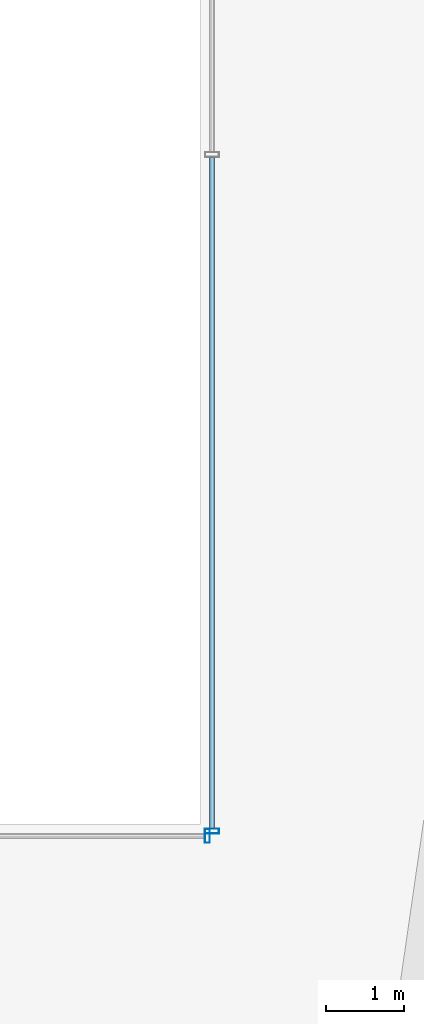
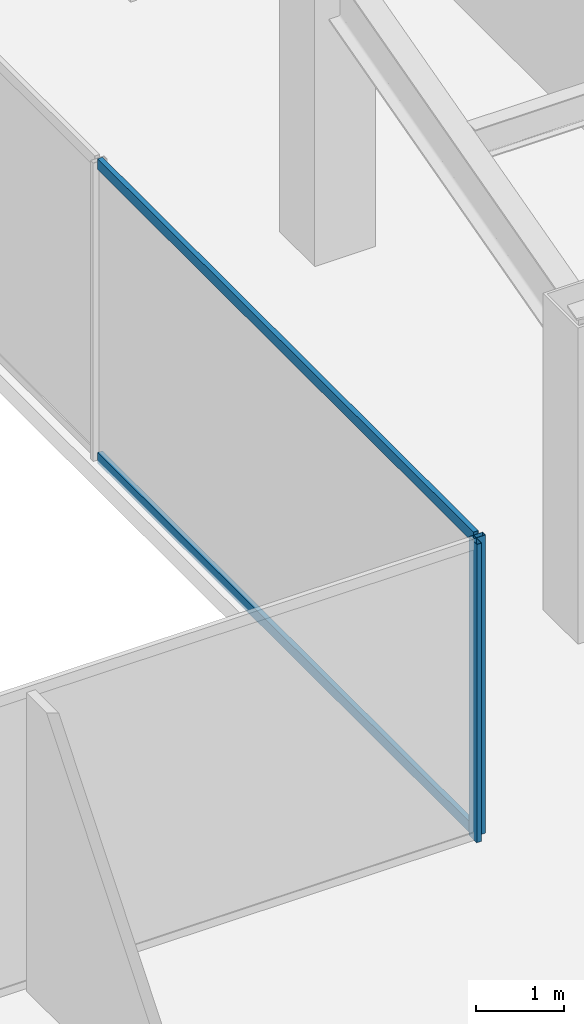
# One storey, part 18 of 47: 4 members, 2 elements without a shape of their own.
"""IFC4 building model written with IfcOpenShell, lengths in metres."""

from ifc_helpers import new_model, si_unit, direction, frame, origin, origin_2d, place, context, subcontext, project, spatial, hollow_rectangle, extrude, material, material_profile, profile_set, type_object, element, aggregate, save


model = new_model("IFC4")

# Units and contexts
model_context = context("Model", 3, precision=1e-05, world=origin(), true_north=direction((0.0, 1.0)))
body_context = subcontext(model_context, "Body", "Model", "MODEL_VIEW")
ifc_project = project(units=[si_unit("LENGTHUNIT", "METRE"), si_unit("AREAUNIT", "SQUARE_METRE"), si_unit("VOLUMEUNIT", "CUBIC_METRE"), si_unit("PLANEANGLEUNIT", "RADIAN"), si_unit("MASSUNIT", "GRAM", prefix="KILO")], contexts=[model_context])

# Site, building, storey
site_placement = place(None, origin())
site = spatial("IfcSite", under=ifc_project, at=site_placement, CompositionType="ELEMENT")
building_placement = place(site_placement, origin())
building = spatial("IfcBuilding", under=site, at=building_placement, Name="Saevonmaru Cultural Tower", CompositionType="ELEMENT")
storey_placement = place(building_placement, frame((0.0, 0.0, 42.800048828125)))
storey = spatial("IfcBuildingStorey", under=building, at=storey_placement, Name="L08", CompositionType="ELEMENT", Elevation=42.800048828125)

# Curtain wall, member
ifc_material = material(Name="Satin Bronze Anodised Aluminium", Category="aluminium")
curtain_wall_type = type_object("IfcCurtainWallType", Name="CW-ATR-GLZ", PredefinedType="NOTDEFINED", material=ifc_material)
curtain_wall_1_placement = place(storey_placement, origin())
curtain_wall_1 = element("IfcCurtainWall", 1, at=curtain_wall_1_placement, inside=storey, type_object=curtain_wall_type, Name="L08 Vertical Atrium Glazed Smoke Screen 1", PredefinedType="NOTDEFINED")
ifc_material_profile_1 = material_profile(ifc_material, hollow_rectangle(XDim=0.06494140625, YDim=0.179931640625, WallThickness=0.00390625, at=origin_2d()), Name="ALU-MULL-180x65x4")
ifc_profile_set_1 = profile_set([ifc_material_profile_1], Name="Satin Bronze Anodised Aluminium")
member_type_1 = type_object("IfcMemberType", Name="ML-CW-INT-180x65", PredefinedType="MULLION", material=ifc_profile_set_1)
member_1_placement = place(storey_placement, frame((35.889892578125, 20.85009765625, 0.0), z_axis=(0.0, 0.0, 1.0), x_axis=(1.0, 0.0, 0.0)))
member_1 = element("IfcMember", 2, at=member_1_placement, type_object=member_type_1, Name="CW-ATR-L08-1 mullion 2", PredefinedType="MULLION", context=body_context, shape_type="SweptSolid", body=[
    extrude(hollow_rectangle(XDim=0.06494140625, YDim=0.179931640625, WallThickness=0.00390625, at=origin_2d()), origin(), (0.0, 0.0, 1.0), 4.14990234375),
])
aggregate(curtain_wall_1, [member_1])

# Curtain wall, members
curtain_wall_2_placement = place(storey_placement, origin())
curtain_wall_2 = element("IfcCurtainWall", 3, at=curtain_wall_2_placement, inside=storey, type_object=curtain_wall_type, Name="L08 Vertical Atrium Glazed Smoke Screen 2", PredefinedType="NOTDEFINED")
member_2_placement = place(storey_placement, frame((35.949951171875, 20.909912109375, 0.0), z_axis=(0.0, 0.0, 1.0), x_axis=(0.0, 1.0, 0.0)))
member_2 = element("IfcMember", 4, at=member_2_placement, type_object=member_type_1, Name="CW-ATR-L08-2 mullion 1", PredefinedType="MULLION", context=body_context, shape_type="SweptSolid", body=[
    extrude(hollow_rectangle(XDim=0.06494140625, YDim=0.179931640625, WallThickness=0.00390625, at=origin_2d()), origin(), (0.0, 0.0, 1.0), 4.14990234375),
])
ifc_material_profile_2 = material_profile(ifc_material, hollow_rectangle(XDim=0.06494140625, YDim=0.14990234375, WallThickness=0.00390625, at=origin_2d()), Name="ALU-TRAN-150x65x4")
ifc_profile_set_2 = profile_set([ifc_material_profile_2], Name="Satin Bronze Anodised Aluminium")
member_type_2 = type_object("IfcMemberType", Name="TR-CW-INT-150x65", PredefinedType="USERDEFINED", material=ifc_profile_set_2)
member_3_placement = place(storey_placement, frame((35.949951171875, 20.9423828125, 0.032470703125), z_axis=(0.0, 1.0, 0.0), x_axis=(-1.0, 0.0, 0.0)))
member_3 = element("IfcMember", 5, at=member_3_placement, type_object=member_type_2, Name="CW-ATR-L08-2 transom 1.1", ObjectType="TRANSOM", PredefinedType="USERDEFINED", context=body_context, shape_type="SweptSolid", body=[
    extrude(hollow_rectangle(XDim=0.06494140625, YDim=0.14990234375, WallThickness=0.00390625, at=origin_2d()), origin(), (0.0, 0.0, 1.0), 8.565185546875),
])
member_4_placement = place(storey_placement, frame((35.949951171875, 20.9423828125, 4.117431640625), z_axis=(0.0, 1.0, 0.0), x_axis=(-1.0, 0.0, 0.0)))
member_4 = element("IfcMember", 6, at=member_4_placement, type_object=member_type_2, Name="CW-ATR-L08-2 transom 1.2", ObjectType="TRANSOM", PredefinedType="USERDEFINED", context=body_context, shape_type="SweptSolid", body=[
    extrude(hollow_rectangle(XDim=0.06494140625, YDim=0.14990234375, WallThickness=0.00390625, at=origin_2d()), origin(), (0.0, 0.0, 1.0), 8.565185546875),
])
aggregate(curtain_wall_2, [member_2, member_3, member_4])

save(model, "model.ifc")
